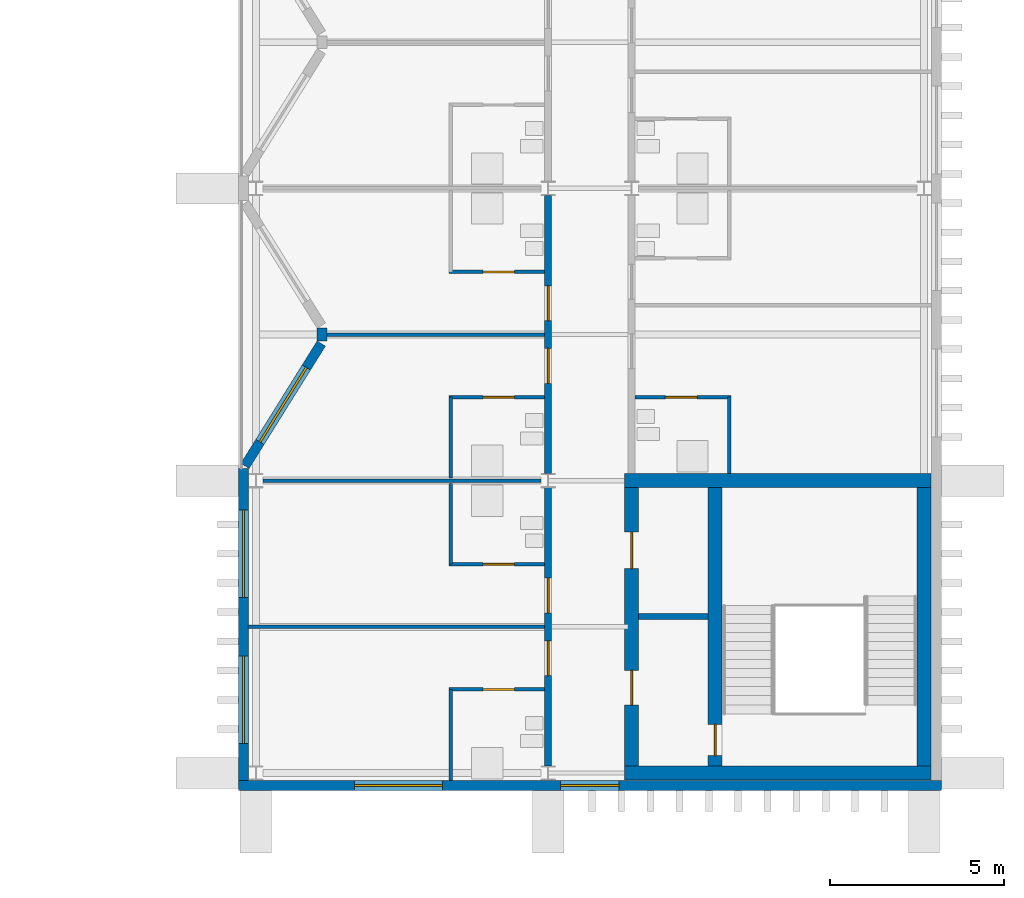
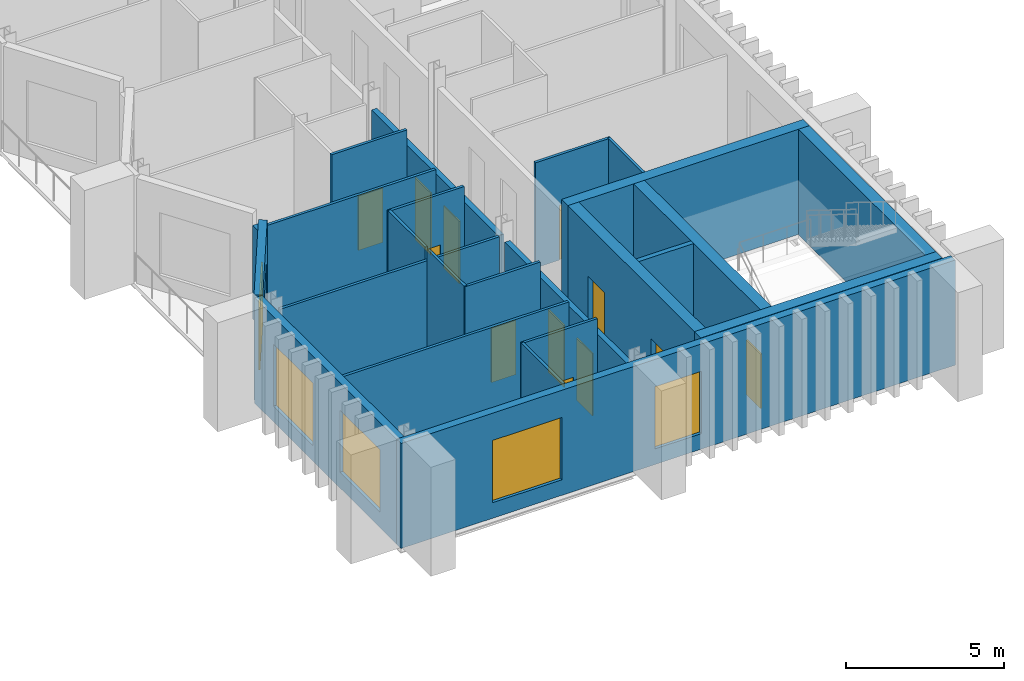
# One storey, part 11 of 18: 24 walls, 12 doors, 5 windows, 17 openings.
"""IFC4 building model written with IfcOpenShell, lengths in metres."""

from ifc_helpers import new_model, si_unit, direction, frame, frame_2d, origin, place, context, subcontext, project, spatial, rectangle, extrude, material, layer, layer_set, type_object, element, fill, save


model = new_model("IFC4")

# Units and contexts
model_context = context("Model", 3, precision=1e-05, world=origin(), true_north=direction((0.0, 1.0)))
body_context = subcontext(model_context, "Body", "Model", "MODEL_VIEW")
ifc_project = project(units=[si_unit("LENGTHUNIT", "METRE"), si_unit("AREAUNIT", "SQUARE_METRE"), si_unit("VOLUMEUNIT", "CUBIC_METRE"), si_unit("PLANEANGLEUNIT", "RADIAN"), si_unit("MASSUNIT", "GRAM", prefix="KILO")], contexts=[model_context])

# Site, building, storey
site_placement = place(None, origin())
site = spatial("IfcSite", under=ifc_project, at=site_placement, CompositionType="ELEMENT")
building_placement = place(site_placement, origin())
building = spatial("IfcBuilding", under=site, at=building_placement, Name="Cresset Court Congress Hotel", CompositionType="ELEMENT")
storey_placement = place(building_placement, frame((0.0, 0.0, 35.39990234375)))
storey = spatial("IfcBuildingStorey", under=building, at=storey_placement, Name="L08", CompositionType="ELEMENT", Elevation=35.39990234375)

# Wall, openings, doors
ifc_material_1 = material(Name="Gypsum board partition")
ifc_layer_1 = layer(ifc_material_1, 0.199951171875)
ifc_layer_set_1 = layer_set([ifc_layer_1], Name="Corridor wall 200")
wall_type_1 = type_object("IfcWallType", Name="Corridor wall 200", PredefinedType="PARTITIONING", material=ifc_layer_set_1)
wall_1_placement = place(storey_placement, frame((165.60009765625, 0.199951171875, 0.0), z_axis=(0.0, 0.0, 1.0), x_axis=(0.0, 1.0, 0.0)))
wall_1 = element("IfcWall", 1, at=wall_1_placement, inside=storey, type_object=wall_type_1, Name="A.wl.L08.070", PredefinedType="PARTITIONING", context=body_context, shape_type="SweptSolid", body=[
    extrude(rectangle(XDim=8.0, YDim=0.199951171875, at=frame_2d((4.0, 0.0))), origin(), (0.0, 0.0, 1.0), 3.4501953125),
])
opening_1_placement = place(wall_1_placement, frame((2.60009765625, 0.0, 0.0)))
opening_1 = element("IfcOpeningElement", 2, at=opening_1_placement, cuts=wall_1, Name="Opening DA-08-02", PredefinedType="OPENING", context=body_context, shape_type="SweptSolid", body=[
    extrude(rectangle(XDim=1.0, YDim=2.39990234375, at=frame_2d((0.5, 1.199951171875))), frame((0.0, 0.10986328125, 0.0), z_axis=(0.0, -1.0, 0.0), x_axis=(1.0, 0.0, 0.0)), (0.0, 0.0, 1.0), 0.219970703125),
])
opening_2_placement = place(wall_1_placement, frame((4.39990234375, 0.0, 0.0)))
opening_2 = element("IfcOpeningElement", 3, at=opening_2_placement, cuts=wall_1, Name="Opening DA-08-04", PredefinedType="OPENING", context=body_context, shape_type="SweptSolid", body=[
    extrude(rectangle(XDim=1.0, YDim=2.39990234375, at=frame_2d((0.5, 1.199951171875))), frame((0.0, 0.10986328125, 0.0), z_axis=(0.0, -1.0, 0.0), x_axis=(1.0, 0.0, 0.0)), (0.0, 0.0, 1.0), 0.219970703125),
])
ifc_material_2 = material(Name="timber", Category="wood")
door_type_1 = type_object("IfcDoorType", Name="Guest-room entry door 1000x2400 FD30S", OperationType="SINGLE_SWING_LEFT", PredefinedType="DOOR", material=ifc_material_2)
door_1_placement = place(opening_1_placement, origin())
door_1 = element("IfcDoor", 4, at=door_1_placement, inside=storey, type_object=door_type_1, Name="Door DA-08-02", OperationType="SINGLE_SWING_RIGHT", OverallHeight=2.39990234375, OverallWidth=1.0, PredefinedType="DOOR", context=body_context, shape_type="SweptSolid", body=[
    extrude(rectangle(XDim=1.0, YDim=2.39990234375, at=frame_2d((0.5, 1.199951171875))), frame((0.0, 0.02490234375, 0.0), z_axis=(0.0, -1.0, 0.0), x_axis=(1.0, 0.0, 0.0)), (0.0, 0.0, 1.0), 0.050048828125),
])
fill(opening_1, door_1)
door_2_placement = place(opening_2_placement, origin())
door_2 = element("IfcDoor", 5, at=door_2_placement, inside=storey, type_object=door_type_1, Name="Door DA-08-04", OperationType="SINGLE_SWING_LEFT", OverallHeight=2.39990234375, OverallWidth=1.0, PredefinedType="DOOR", context=body_context, shape_type="SweptSolid", body=[
    extrude(rectangle(XDim=1.0, YDim=2.39990234375, at=frame_2d((0.5, 1.199951171875))), frame((0.0, 0.02490234375, 0.0), z_axis=(0.0, -1.0, 0.0), x_axis=(1.0, 0.0, 0.0)), (0.0, 0.0, 1.0), 0.050048828125),
])
fill(opening_2, door_2)

wall_2_placement = place(storey_placement, frame((165.60009765625, 8.60009765625, 0.0), z_axis=(0.0, 0.0, 1.0), x_axis=(0.0, 1.0, 0.0)))
wall_2 = element("IfcWall", 6, at=wall_2_placement, inside=storey, type_object=wall_type_1, Name="A.wl.L08.071", PredefinedType="PARTITIONING", context=body_context, shape_type="SweptSolid", body=[
    extrude(rectangle(XDim=8.0, YDim=0.199951171875, at=frame_2d((4.0, 0.0))), origin(), (0.0, 0.0, 1.0), 3.4501953125),
])
opening_3_placement = place(wall_2_placement, frame((2.60009765625, 0.0, 0.0)))
opening_3 = element("IfcOpeningElement", 7, at=opening_3_placement, cuts=wall_2, Name="Opening DA-08-06", PredefinedType="OPENING", context=body_context, shape_type="SweptSolid", body=[
    extrude(rectangle(XDim=1.0, YDim=2.39990234375, at=frame_2d((0.5, 1.199951171875))), frame((0.0, 0.10986328125, 0.0), z_axis=(0.0, -1.0, 0.0), x_axis=(1.0, 0.0, 0.0)), (0.0, 0.0, 1.0), 0.219970703125),
])
opening_4_placement = place(wall_2_placement, frame((4.39990234375, 0.0, 0.0)))
opening_4 = element("IfcOpeningElement", 8, at=opening_4_placement, cuts=wall_2, Name="Opening DA-08-08", PredefinedType="OPENING", context=body_context, shape_type="SweptSolid", body=[
    extrude(rectangle(XDim=1.0, YDim=2.39990234375, at=frame_2d((0.5, 1.199951171875))), frame((0.0, 0.10986328125, 0.0), z_axis=(0.0, -1.0, 0.0), x_axis=(1.0, 0.0, 0.0)), (0.0, 0.0, 1.0), 0.219970703125),
])
door_3_placement = place(opening_3_placement, origin())
door_3 = element("IfcDoor", 9, at=door_3_placement, inside=storey, type_object=door_type_1, Name="Door DA-08-06", OperationType="SINGLE_SWING_RIGHT", OverallHeight=2.39990234375, OverallWidth=1.0, PredefinedType="DOOR", context=body_context, shape_type="SweptSolid", body=[
    extrude(rectangle(XDim=1.0, YDim=2.39990234375, at=frame_2d((0.5, 1.199951171875))), frame((0.0, 0.02490234375, 0.0), z_axis=(0.0, -1.0, 0.0), x_axis=(1.0, 0.0, 0.0)), (0.0, 0.0, 1.0), 0.050048828125),
])
fill(opening_3, door_3)
door_4_placement = place(opening_4_placement, origin())
door_4 = element("IfcDoor", 10, at=door_4_placement, inside=storey, type_object=door_type_1, Name="Door DA-08-08", OperationType="SINGLE_SWING_LEFT", OverallHeight=2.39990234375, OverallWidth=1.0, PredefinedType="DOOR", context=body_context, shape_type="SweptSolid", body=[
    extrude(rectangle(XDim=1.0, YDim=2.39990234375, at=frame_2d((0.5, 1.199951171875))), frame((0.0, 0.02490234375, 0.0), z_axis=(0.0, -1.0, 0.0), x_axis=(1.0, 0.0, 0.0)), (0.0, 0.0, 1.0), 0.050048828125),
])
fill(opening_4, door_4)

# Wall
ifc_material_3 = material(Name="Gypsum board partition")
ifc_layer_2 = layer(ifc_material_3, 0.10009765625)
ifc_layer_set_2 = layer_set([ifc_layer_2], Name="En-suite wall 100")
wall_type_2 = type_object("IfcWallType", Name="En-suite wall 100", PredefinedType="PARTITIONING", material=ifc_layer_set_2)
wall_3_placement = place(storey_placement, frame((162.800048828125, -0.219970703125, 0.0), z_axis=(0.0, 0.0, 1.0), x_axis=(0.0, 1.0, 0.0)))
element("IfcWall", 11, at=wall_3_placement, inside=storey, type_object=wall_type_2, Name="A.wl.L08.001", PredefinedType="PARTITIONING", context=body_context, shape_type="SweptSolid", body=[
    extrude(rectangle(XDim=2.619873046875, YDim=0.10009765625, at=frame_2d((1.31005859375, 0.0))), origin(), (0.0, 0.0, 1.0), 4.050048828125),
])

# Wall, opening, door
wall_4_placement = place(storey_placement, frame((162.75, 2.39990234375, 0.0), z_axis=(0.0, 0.0, 1.0), x_axis=(1.0, 0.0, 0.0)))
wall_4 = element("IfcWall", 12, at=wall_4_placement, inside=storey, type_object=wall_type_2, Name="A.wl.L08.002", PredefinedType="PARTITIONING", context=body_context, shape_type="SweptSolid", body=[
    extrude(rectangle(XDim=2.75, YDim=0.10009765625, at=frame_2d((1.375, 0.0))), origin(), (0.0, 0.0, 1.0), 4.050048828125),
])
opening_5_placement = place(wall_4_placement, frame((0.97998046875, 0.0, 0.0)))
opening_5 = element("IfcOpeningElement", 13, at=opening_5_placement, cuts=wall_4, Name="Opening DA-08-01", PredefinedType="OPENING", context=body_context, shape_type="SweptSolid", body=[
    extrude(rectangle(XDim=0.89990234375, YDim=2.10009765625, at=frame_2d((0.449951171875, 1.050048828125))), frame((0.0, 0.06005859375, 0.0), z_axis=(0.0, -1.0, 0.0), x_axis=(1.0, 0.0, 0.0)), (0.0, 0.0, 1.0), 0.1201171875),
])
ifc_material_4 = material(Name="timber", Category="wood")
door_type_2 = type_object("IfcDoorType", Name="En-suite door 900x2100", OperationType="SINGLE_SWING_LEFT", PredefinedType="DOOR", material=ifc_material_4)
door_5_placement = place(opening_5_placement, origin())
door_5 = element("IfcDoor", 14, at=door_5_placement, inside=storey, type_object=door_type_2, Name="Door DA-08-01", OperationType="SINGLE_SWING_RIGHT", OverallHeight=2.10009765625, OverallWidth=0.89990234375, PredefinedType="DOOR", context=body_context, shape_type="SweptSolid", body=[
    extrude(rectangle(XDim=0.89990234375, YDim=2.10009765625, at=frame_2d((0.449951171875, 1.050048828125))), frame((0.0, 0.02490234375, 0.0), z_axis=(0.0, -1.0, 0.0), x_axis=(1.0, 0.0, 0.0)), (0.0, 0.0, 1.0), 0.050048828125),
])
fill(opening_5, door_5)

# Wall
wall_5_placement = place(storey_placement, frame((162.800048828125, 6.0, 0.0), z_axis=(0.0, 0.0, 1.0), x_axis=(0.0, 1.0, 0.0)))
element("IfcWall", 15, at=wall_5_placement, inside=storey, type_object=wall_type_2, Name="A.wl.L08.003", PredefinedType="PARTITIONING", context=body_context, shape_type="SweptSolid", body=[
    extrude(rectangle(XDim=2.324951171875, YDim=0.10009765625, at=frame_2d((1.16259765625, 0.0))), origin(), (0.0, 0.0, 1.0), 4.050048828125),
])

# Wall, opening, door
wall_6_placement = place(storey_placement, frame((162.75, 6.0, 0.0), z_axis=(0.0, 0.0, 1.0), x_axis=(1.0, 0.0, 0.0)))
wall_6 = element("IfcWall", 16, at=wall_6_placement, inside=storey, type_object=wall_type_2, Name="A.wl.L08.004", PredefinedType="PARTITIONING", context=body_context, shape_type="SweptSolid", body=[
    extrude(rectangle(XDim=2.75, YDim=0.10009765625, at=frame_2d((1.375, 0.0))), origin(), (0.0, 0.0, 1.0), 4.050048828125),
])
opening_6_placement = place(wall_6_placement, frame((0.97998046875, 0.0, 0.0)))
opening_6 = element("IfcOpeningElement", 17, at=opening_6_placement, cuts=wall_6, Name="Opening DA-08-03", PredefinedType="OPENING", context=body_context, shape_type="SweptSolid", body=[
    extrude(rectangle(XDim=0.89990234375, YDim=2.10009765625, at=frame_2d((0.449951171875, 1.050048828125))), frame((0.0, 0.06005859375, 0.0), z_axis=(0.0, -1.0, 0.0), x_axis=(1.0, 0.0, 0.0)), (0.0, 0.0, 1.0), 0.1201171875),
])
door_6_placement = place(opening_6_placement, origin())
door_6 = element("IfcDoor", 18, at=door_6_placement, inside=storey, type_object=door_type_2, Name="Door DA-08-03", OperationType="SINGLE_SWING_LEFT", OverallHeight=2.10009765625, OverallWidth=0.89990234375, PredefinedType="DOOR", context=body_context, shape_type="SweptSolid", body=[
    extrude(rectangle(XDim=0.89990234375, YDim=2.10009765625, at=frame_2d((0.449951171875, 1.050048828125))), frame((0.0, 0.02490234375, 0.0), z_axis=(0.0, -1.0, 0.0), x_axis=(1.0, 0.0, 0.0)), (0.0, 0.0, 1.0), 0.050048828125),
])
fill(opening_6, door_6)

# Wall
wall_7_placement = place(storey_placement, frame((162.800048828125, 8.47509765625, 0.0), z_axis=(0.0, 0.0, 1.0), x_axis=(0.0, 1.0, 0.0)))
element("IfcWall", 19, at=wall_7_placement, inside=storey, type_object=wall_type_2, Name="A.wl.L08.005", PredefinedType="PARTITIONING", context=body_context, shape_type="SweptSolid", body=[
    extrude(rectangle(XDim=2.324951171875, YDim=0.10009765625, at=frame_2d((1.16259765625, 0.0))), origin(), (0.0, 0.0, 1.0), 4.050048828125),
])

# Wall, opening, door
wall_8_placement = place(storey_placement, frame((162.75, 10.800048828125, 0.0), z_axis=(0.0, 0.0, 1.0), x_axis=(1.0, 0.0, 0.0)))
wall_8 = element("IfcWall", 20, at=wall_8_placement, inside=storey, type_object=wall_type_2, Name="A.wl.L08.006", PredefinedType="PARTITIONING", context=body_context, shape_type="SweptSolid", body=[
    extrude(rectangle(XDim=2.75, YDim=0.10009765625, at=frame_2d((1.375, 0.0))), origin(), (0.0, 0.0, 1.0), 4.050048828125),
])
opening_7_placement = place(wall_8_placement, frame((0.97998046875, 0.0, 0.0)))
opening_7 = element("IfcOpeningElement", 21, at=opening_7_placement, cuts=wall_8, Name="Opening DA-08-05", PredefinedType="OPENING", context=body_context, shape_type="SweptSolid", body=[
    extrude(rectangle(XDim=0.89990234375, YDim=2.10009765625, at=frame_2d((0.449951171875, 1.050048828125))), frame((0.0, 0.06005859375, 0.0), z_axis=(0.0, -1.0, 0.0), x_axis=(1.0, 0.0, 0.0)), (0.0, 0.0, 1.0), 0.1201171875),
])
door_7_placement = place(opening_7_placement, origin())
door_7 = element("IfcDoor", 22, at=door_7_placement, inside=storey, type_object=door_type_2, Name="Door DA-08-05", OperationType="SINGLE_SWING_RIGHT", OverallHeight=2.10009765625, OverallWidth=0.89990234375, PredefinedType="DOOR", context=body_context, shape_type="SweptSolid", body=[
    extrude(rectangle(XDim=0.89990234375, YDim=2.10009765625, at=frame_2d((0.449951171875, 1.050048828125))), frame((0.0, 0.02490234375, 0.0), z_axis=(0.0, -1.0, 0.0), x_axis=(1.0, 0.0, 0.0)), (0.0, 0.0, 1.0), 0.050048828125),
])
fill(opening_7, door_7)

wall_9_placement = place(storey_placement, frame((162.75, 14.39990234375, 0.0), z_axis=(0.0, 0.0, 1.0), x_axis=(1.0, 0.0, 0.0)))
wall_9 = element("IfcWall", 23, at=wall_9_placement, inside=storey, type_object=wall_type_2, Name="A.wl.L08.008", PredefinedType="PARTITIONING", context=body_context, shape_type="SweptSolid", body=[
    extrude(rectangle(XDim=2.75, YDim=0.10009765625, at=frame_2d((1.375, 0.0))), origin(), (0.0, 0.0, 1.0), 4.050048828125),
])
opening_8_placement = place(wall_9_placement, frame((0.97998046875, 0.0, 0.0)))
opening_8 = element("IfcOpeningElement", 24, at=opening_8_placement, cuts=wall_9, Name="Opening DA-08-07", PredefinedType="OPENING", context=body_context, shape_type="SweptSolid", body=[
    extrude(rectangle(XDim=0.89990234375, YDim=2.10009765625, at=frame_2d((0.449951171875, 1.050048828125))), frame((0.0, 0.06005859375, 0.0), z_axis=(0.0, -1.0, 0.0), x_axis=(1.0, 0.0, 0.0)), (0.0, 0.0, 1.0), 0.1201171875),
])
door_8_placement = place(opening_8_placement, origin())
door_8 = element("IfcDoor", 25, at=door_8_placement, inside=storey, type_object=door_type_2, Name="Door DA-08-07", OperationType="SINGLE_SWING_LEFT", OverallHeight=2.10009765625, OverallWidth=0.89990234375, PredefinedType="DOOR", context=body_context, shape_type="SweptSolid", body=[
    extrude(rectangle(XDim=0.89990234375, YDim=2.10009765625, at=frame_2d((0.449951171875, 1.050048828125))), frame((0.0, 0.02490234375, 0.0), z_axis=(0.0, -1.0, 0.0), x_axis=(1.0, 0.0, 0.0)), (0.0, 0.0, 1.0), 0.050048828125),
])
fill(opening_8, door_8)

# Wall
wall_10_placement = place(storey_placement, frame((170.800048828125, 8.60009765625, 0.0), z_axis=(0.0, 0.0, 1.0), x_axis=(0.0, 1.0, 0.0)))
element("IfcWall", 26, at=wall_10_placement, inside=storey, type_object=wall_type_2, Name="A.wl.L08.033", PredefinedType="PARTITIONING", context=body_context, shape_type="SweptSolid", body=[
    extrude(rectangle(XDim=2.199951171875, YDim=0.10009765625, at=frame_2d((1.10009765625, 0.0))), origin(), (0.0, 0.0, 1.0), 4.050048828125),
])

# Wall, opening, door
wall_11_placement = place(storey_placement, frame((170.85009765625, 10.800048828125, 0.0), z_axis=(0.0, 0.0, 1.0), x_axis=(-1.0, 0.0, 0.0)))
wall_11 = element("IfcWall", 27, at=wall_11_placement, inside=storey, type_object=wall_type_2, Name="A.wl.L08.034", PredefinedType="PARTITIONING", context=body_context, shape_type="SweptSolid", body=[
    extrude(rectangle(XDim=2.75, YDim=0.10009765625, at=frame_2d((1.375, 0.0))), origin(), (0.0, 0.0, 1.0), 4.050048828125),
])
opening_9_placement = place(wall_11_placement, frame((0.97998046875, 0.0, 0.0)))
opening_9 = element("IfcOpeningElement", 28, at=opening_9_placement, cuts=wall_11, Name="Opening DA-08-33", PredefinedType="OPENING", context=body_context, shape_type="SweptSolid", body=[
    extrude(rectangle(XDim=0.89990234375, YDim=2.10009765625, at=frame_2d((0.449951171875, 1.050048828125))), frame((0.0, 0.06005859375, 0.0), z_axis=(0.0, -1.0, 0.0), x_axis=(1.0, 0.0, 0.0)), (0.0, 0.0, 1.0), 0.1201171875),
])
door_9_placement = place(opening_9_placement, origin())
door_9 = element("IfcDoor", 29, at=door_9_placement, inside=storey, type_object=door_type_2, Name="Door DA-08-33", OperationType="SINGLE_SWING_RIGHT", OverallHeight=2.10009765625, OverallWidth=0.89990234375, PredefinedType="DOOR", context=body_context, shape_type="SweptSolid", body=[
    extrude(rectangle(XDim=0.89990234375, YDim=2.10009765625, at=frame_2d((0.449951171875, 1.050048828125))), frame((0.0, 0.02490234375, 0.0), z_axis=(0.0, -1.0, 0.0), x_axis=(1.0, 0.0, 0.0)), (0.0, 0.0, 1.0), 0.050048828125),
])
fill(opening_9, door_9)

# Wall, openings, windows
ifc_material_5 = material(Name="Precast concrete C50", Category="concrete")
ifc_layer_3 = layer(ifc_material_5, 0.280029296875)
ifc_layer_set_3 = layer_set([ifc_layer_3], Name="External wall 280")
wall_type_3 = type_object("IfcWallType", Name="External wall 280", PredefinedType="SOLIDWALL", material=ifc_layer_set_3)
wall_12_placement = place(storey_placement, frame((156.840087890625, -0.219970703125, 0.0), z_axis=(0.0, 0.0, 1.0), x_axis=(0.0, 1.0, 0.0)))
wall_12 = element("IfcWall", 30, at=wall_12_placement, inside=storey, type_object=wall_type_3, Name="A.ew.L08.W.1", PredefinedType="SOLIDWALL", context=body_context, shape_type="SweptSolid", body=[
    extrude(rectangle(XDim=8.969970703125, YDim=0.280029296875, at=frame_2d((4.48486328125, 0.0))), origin(), (0.0, 0.0, 1.0), 4.050048828125),
])
opening_10_placement = place(wall_12_placement, frame((1.06005859375, 0.0, 0.60009765625)))
opening_10 = element("IfcOpeningElement", 31, at=opening_10_placement, cuts=wall_12, Name="Opening NA-08-01", PredefinedType="OPENING", context=body_context, shape_type="SweptSolid", body=[
    extrude(rectangle(XDim=2.52001953125, YDim=2.39990234375, at=frame_2d((1.260009765625, 1.199951171875))), frame((0.0, 0.14990234375, 0.0), z_axis=(0.0, -1.0, 0.0), x_axis=(1.0, 0.0, 0.0)), (0.0, 0.0, 1.0), 0.300048828125),
])
opening_11_placement = place(wall_12_placement, frame((5.260009765625, 0.0, 0.60009765625)))
opening_11 = element("IfcOpeningElement", 32, at=opening_11_placement, cuts=wall_12, Name="Opening NA-08-02", PredefinedType="OPENING", context=body_context, shape_type="SweptSolid", body=[
    extrude(rectangle(XDim=2.52001953125, YDim=2.39990234375, at=frame_2d((1.260009765625, 1.199951171875))), frame((0.0, 0.14990234375, 0.0), z_axis=(0.0, -1.0, 0.0), x_axis=(1.0, 0.0, 0.0)), (0.0, 0.0, 1.0), 0.300048828125),
])
ifc_material_6 = material(Name="Aluminium and glass", Category="aluminium")
window_type_1 = type_object("IfcWindowType", Name="Window 2520x2400", PartitioningType="SINGLE_PANEL", PredefinedType="WINDOW", material=ifc_material_6)
window_1_placement = place(opening_10_placement, origin())
window_1 = element("IfcWindow", 33, at=window_1_placement, inside=storey, type_object=window_type_1, Name="Window NA-08-01", OverallHeight=2.39990234375, OverallWidth=2.52001953125, PartitioningType="SINGLE_PANEL", PredefinedType="WINDOW", context=body_context, shape_type="SweptSolid", body=[
    extrude(rectangle(XDim=2.52001953125, YDim=2.39990234375, at=frame_2d((1.260009765625, 1.199951171875))), frame((0.0, 0.030029296875, 0.0), z_axis=(0.0, -1.0, 0.0), x_axis=(1.0, 0.0, 0.0)), (0.0, 0.0, 1.0), 0.06005859375),
])
fill(opening_10, window_1)
window_2_placement = place(opening_11_placement, origin())
window_2 = element("IfcWindow", 34, at=window_2_placement, inside=storey, type_object=window_type_1, Name="Window NA-08-02", OverallHeight=2.39990234375, OverallWidth=2.52001953125, PartitioningType="SINGLE_PANEL", PredefinedType="WINDOW", context=body_context, shape_type="SweptSolid", body=[
    extrude(rectangle(XDim=2.52001953125, YDim=2.39990234375, at=frame_2d((1.260009765625, 1.199951171875))), frame((0.0, 0.030029296875, 0.0), z_axis=(0.0, -1.0, 0.0), x_axis=(1.0, 0.0, 0.0)), (0.0, 0.0, 1.0), 0.06005859375),
])
fill(opening_11, window_2)

# Wall, opening, window
wall_13_placement = place(storey_placement, frame((156.88623046875, 8.82421875, 0.0), z_axis=(0.0, 0.0, 1.0), x_axis=(0.529018946142, 0.848610013271, 0.0)))
wall_13 = element("IfcWall", 35, at=wall_13_placement, inside=storey, type_object=wall_type_3, Name="A.ew.L08.Wn.1.0", PredefinedType="SOLIDWALL", context=body_context, shape_type="SweptSolid", body=[
    extrude(rectangle(XDim=4.144287109375, YDim=0.280029296875, at=frame_2d((2.072265625, 0.0))), origin(), (0.0, 0.0, 1.0), 4.050048828125),
])
opening_12_placement = place(wall_13_placement, frame((0.812255859375, 0.0, 0.60009765625)))
opening_12 = element("IfcOpeningElement", 36, at=opening_12_placement, cuts=wall_13, Name="Opening NA-08-03", PredefinedType="OPENING", context=body_context, shape_type="SweptSolid", body=[
    extrude(rectangle(XDim=2.52001953125, YDim=2.39990234375, at=frame_2d((1.260009765625, 1.199951171875))), frame((0.0, 0.14990234375, 0.0), z_axis=(0.0, -1.0, 0.0), x_axis=(1.0, 0.0, 0.0)), (0.0, 0.0, 1.0), 0.300048828125),
])
window_3_placement = place(opening_12_placement, origin())
window_3 = element("IfcWindow", 37, at=window_3_placement, inside=storey, type_object=window_type_1, Name="Window NA-08-03", OverallHeight=2.39990234375, OverallWidth=2.52001953125, PartitioningType="SINGLE_PANEL", PredefinedType="WINDOW", context=body_context, shape_type="SweptSolid", body=[
    extrude(rectangle(XDim=2.52001953125, YDim=2.39990234375, at=frame_2d((1.260009765625, 1.199951171875))), frame((0.0, 0.030029296875, 0.0), z_axis=(0.0, -1.0, 0.0), x_axis=(1.0, 0.0, 0.0)), (0.0, 0.0, 1.0), 0.06005859375),
])
fill(opening_12, window_3)

# Wall
wall_14_placement = place(storey_placement, frame((159.099609375, 12.4150390625, 0.0), z_axis=(0.0, 0.0, 1.0), x_axis=(0.0, 1.0, 0.0)))
element("IfcWall", 38, at=wall_14_placement, inside=storey, type_object=wall_type_3, Name="A.ew.L08.Wn.1.2", PredefinedType="SOLIDWALL", context=body_context, shape_type="SweptSolid", body=[
    extrude(rectangle(XDim=0.369873046875, YDim=0.280029296875, at=frame_2d((0.18505859375, 0.0))), origin(), (0.0, 0.0, 1.0), 3.60400390625),
])

# Wall, openings, windows
ifc_material_7 = material(Name="Precast concrete C50", Category="concrete")
ifc_layer_4 = layer(ifc_material_7, 0.280029296875)
ifc_layer_set_4 = layer_set([ifc_layer_4], Name="Gable end wall 280")
wall_type_4 = type_object("IfcWallType", Name="Gable end wall 280", PredefinedType="SOLIDWALL", material=ifc_layer_set_4)
wall_15_placement = place(storey_placement, frame((156.699951171875, -0.360107421875, 0.0), z_axis=(0.0, 0.0, 1.0), x_axis=(1.0, 0.0, 0.0)))
wall_15 = element("IfcWall", 39, at=wall_15_placement, inside=storey, type_object=wall_type_4, Name="A.ew.L08.S.1", PredefinedType="SOLIDWALL", context=body_context, shape_type="SweptSolid", body=[
    extrude(rectangle(XDim=20.199951171875, YDim=0.280029296875, at=frame_2d((10.10009765625, 0.0))), origin(), (0.0, 0.0, 1.0), 4.050048828125),
])
opening_13_placement = place(wall_15_placement, frame((9.260009765625, 0.0, 0.60009765625)))
opening_13 = element("IfcOpeningElement", 40, at=opening_13_placement, cuts=wall_15, Name="Opening NA-08-25", PredefinedType="OPENING", context=body_context, shape_type="SweptSolid", body=[
    extrude(rectangle(XDim=1.679931640625, YDim=2.39990234375, at=frame_2d((0.83984375, 1.199951171875))), frame((0.0, 0.14990234375, 0.0), z_axis=(0.0, -1.0, 0.0), x_axis=(1.0, 0.0, 0.0)), (0.0, 0.0, 1.0), 0.300048828125),
])
opening_14_placement = place(wall_15_placement, frame((3.340087890625, 0.0, 0.60009765625)))
opening_14 = element("IfcOpeningElement", 41, at=opening_14_placement, cuts=wall_15, Name="Opening NA-08-26", PredefinedType="OPENING", context=body_context, shape_type="SweptSolid", body=[
    extrude(rectangle(XDim=2.52001953125, YDim=2.39990234375, at=frame_2d((1.260009765625, 1.199951171875))), frame((0.0, 0.14990234375, 0.0), z_axis=(0.0, -1.0, 0.0), x_axis=(1.0, 0.0, 0.0)), (0.0, 0.0, 1.0), 0.300048828125),
])
ifc_material_8 = material(Name="Aluminium and glass", Category="aluminium")
window_type_2 = type_object("IfcWindowType", Name="Window 1680x2400", PartitioningType="SINGLE_PANEL", PredefinedType="WINDOW", material=ifc_material_8)
window_4_placement = place(opening_13_placement, origin())
window_4 = element("IfcWindow", 42, at=window_4_placement, inside=storey, type_object=window_type_2, Name="Window NA-08-25", OverallHeight=2.39990234375, OverallWidth=1.679931640625, PartitioningType="SINGLE_PANEL", PredefinedType="WINDOW", context=body_context, shape_type="SweptSolid", body=[
    extrude(rectangle(XDim=1.679931640625, YDim=2.39990234375, at=frame_2d((0.83984375, 1.199951171875))), frame((0.0, 0.030029296875, 0.0), z_axis=(0.0, -1.0, 0.0), x_axis=(1.0, 0.0, 0.0)), (0.0, 0.0, 1.0), 0.06005859375),
])
fill(opening_13, window_4)
window_5_placement = place(opening_14_placement, origin())
window_5 = element("IfcWindow", 43, at=window_5_placement, inside=storey, type_object=window_type_1, Name="Window NA-08-26", OverallHeight=2.39990234375, OverallWidth=2.52001953125, PartitioningType="SINGLE_PANEL", PredefinedType="WINDOW", context=body_context, shape_type="SweptSolid", body=[
    extrude(rectangle(XDim=2.52001953125, YDim=2.39990234375, at=frame_2d((1.260009765625, 1.199951171875))), frame((0.0, 0.030029296875, 0.0), z_axis=(0.0, -1.0, 0.0), x_axis=(1.0, 0.0, 0.0)), (0.0, 0.0, 1.0), 0.06005859375),
])
fill(opening_14, window_5)

# Walls
ifc_material_9 = material(Name="Gypsum board partition")
ifc_layer_5 = layer(ifc_material_9, 0.10009765625)
ifc_layer_set_5 = layer_set([ifc_layer_5], Name="Guest-room partition 100")
wall_type_5 = type_object("IfcWallType", Name="Guest-room partition 100", PredefinedType="PARTITIONING", material=ifc_layer_set_5)
wall_16_placement = place(storey_placement, frame((157.39990234375, 8.39990234375, 0.0), z_axis=(0.0, 0.0, 1.0), x_axis=(1.0, 0.0, 0.0)))
element("IfcWall", 44, at=wall_16_placement, inside=storey, type_object=wall_type_5, Name="A.wl.L08.049", PredefinedType="PARTITIONING", context=body_context, shape_type="SweptSolid", body=[
    extrude(rectangle(XDim=8.0, YDim=0.10009765625, at=frame_2d((4.0, 0.0))), origin(), (0.0, 0.0, 1.0), 3.60400390625),
])
wall_17_placement = place(storey_placement, frame((156.97998046875, 4.199951171875, 0.0), z_axis=(0.0, 0.0, 1.0), x_axis=(1.0, 0.0, 0.0)))
element("IfcWall", 45, at=wall_17_placement, inside=storey, type_object=wall_type_5, Name="A.wl.L08.058", PredefinedType="PARTITIONING", context=body_context, shape_type="SweptSolid", body=[
    extrude(rectangle(XDim=8.52001953125, YDim=0.10009765625, at=frame_2d((4.260009765625, 0.0))), origin(), (0.0, 0.0, 1.0), 3.60400390625),
])
wall_18_placement = place(storey_placement, frame((159.23974609375, 12.60009765625, 0.0), z_axis=(0.0, 0.0, 1.0), x_axis=(1.0, 0.0, 0.0)))
element("IfcWall", 46, at=wall_18_placement, inside=storey, type_object=wall_type_5, Name="A.wl.L08.059", PredefinedType="PARTITIONING", context=body_context, shape_type="SweptSolid", body=[
    extrude(rectangle(XDim=6.26025390625, YDim=0.10009765625, at=frame_2d((3.130126953125, 0.0))), origin(), (0.0, 0.0, 1.0), 3.60400390625),
])
ifc_material_10 = material(Name="Concrete block wall", Category="concrete")
ifc_layer_6 = layer(ifc_material_10, 0.175048828125)
ifc_layer_set_6 = layer_set([ifc_layer_6], Name="Riser shaft wall 175")
wall_type_6 = type_object("IfcWallType", Name="Riser shaft wall 175", PredefinedType="PARTITIONING", material=ifc_layer_set_6)
wall_19_placement = place(storey_placement, frame((168.199951171875, 4.5, 0.0), z_axis=(0.0, 0.0, 1.0), x_axis=(1.0, 0.0, 0.0)))
element("IfcWall", 47, at=wall_19_placement, inside=storey, type_object=wall_type_6, Name="A.wl.L08.083", PredefinedType="PARTITIONING", context=body_context, shape_type="SweptSolid", body=[
    extrude(rectangle(XDim=2.0, YDim=0.175048828125, at=frame_2d((1.0, 0.0))), origin(), (0.0, 0.0, 1.0), 4.050048828125),
])
ifc_material_11 = material(Name="Concrete C50", Category="concrete")
ifc_layer_7 = layer(ifc_material_11, 0.39990234375)
ifc_layer_set_7 = layer_set([ifc_layer_7], Name="Stair core wall 400")
wall_type_7 = type_object("IfcWallType", Name="Stair core wall 400", PredefinedType="SOLIDWALL", material=ifc_layer_set_7)
for number, where, z_axis, x_axis, name in (
    (48, (167.800048828125, 0.0, 0.0), (0.0, 0.0, 1.0), (1.0, 0.0, 0.0), "A.cw.ST-A1.L08.S"),
    (49, (167.800048828125, 8.39990234375, 0.0), (0.0, 0.0, 1.0), (1.0, 0.0, 0.0), "A.cw.ST-A1.L08.N"),
):
    element("IfcWall", number, at=place(storey_placement, frame(where, z_axis=z_axis, x_axis=x_axis)), inside=storey, type_object=wall_type_7, Name=name, PredefinedType="SOLIDWALL", context=body_context, shape_type="SweptSolid", body=[
        extrude(rectangle(XDim=8.800048828125, YDim=0.39990234375, at=frame_2d((4.39990234375, 0.0))), origin(), (0.0, 0.0, 1.0), 4.050048828125),
    ])

# Wall, openings, doors
wall_20_placement = place(storey_placement, frame((168.0, 0.199951171875, 0.0), z_axis=(0.0, 0.0, 1.0), x_axis=(0.0, 1.0, 0.0)))
wall_20 = element("IfcWall", 50, at=wall_20_placement, inside=storey, type_object=wall_type_7, Name="A.cw.ST-A1.L08.W", PredefinedType="SOLIDWALL", context=body_context, shape_type="SweptSolid", body=[
    extrude(rectangle(XDim=8.0, YDim=0.39990234375, at=frame_2d((4.0, 0.0))), origin(), (0.0, 0.0, 1.0), 4.050048828125),
])
opening_15_placement = place(wall_20_placement, frame((1.75, 0.0, 0.0)))
opening_15 = element("IfcOpeningElement", 51, at=opening_15_placement, cuts=wall_20, Name="Opening DA-08-50", PredefinedType="OPENING", context=body_context, shape_type="SweptSolid", body=[
    extrude(rectangle(XDim=1.0, YDim=2.10009765625, at=frame_2d((0.5, 1.050048828125))), frame((0.0, 0.2099609375, 0.0), z_axis=(0.0, -1.0, 0.0), x_axis=(1.0, 0.0, 0.0)), (0.0, 0.0, 1.0), 0.419921875),
])
opening_16_placement = place(wall_20_placement, frame((5.675048828125, 0.0, 0.0)))
opening_16 = element("IfcOpeningElement", 52, at=opening_16_placement, cuts=wall_20, Name="Opening DA-08-51", PredefinedType="OPENING", context=body_context, shape_type="SweptSolid", body=[
    extrude(rectangle(XDim=1.050048828125, YDim=2.10009765625, at=frame_2d((0.52490234375, 1.050048828125))), frame((0.0, 0.2099609375, 0.0), z_axis=(0.0, -1.0, 0.0), x_axis=(1.0, 0.0, 0.0)), (0.0, 0.0, 1.0), 0.419921875),
])
ifc_material_12 = material(Name="steel", Category="steel")
door_type_3 = type_object("IfcDoorType", Name="Housekeeping room door 1050x2100 FD30", OperationType="SINGLE_SWING_LEFT", PredefinedType="DOOR", material=ifc_material_12)
door_10_placement = place(opening_16_placement, origin())
door_10 = element("IfcDoor", 53, at=door_10_placement, inside=storey, type_object=door_type_3, Name="Door DA-08-51", OperationType="SINGLE_SWING_LEFT", OverallHeight=2.10009765625, OverallWidth=1.050048828125, PredefinedType="DOOR", context=body_context, shape_type="SweptSolid", body=[
    extrude(rectangle(XDim=1.050048828125, YDim=2.10009765625, at=frame_2d((0.52490234375, 1.050048828125))), frame((0.0, 0.02490234375, 0.0), z_axis=(0.0, -1.0, 0.0), x_axis=(1.0, 0.0, 0.0)), (0.0, 0.0, 1.0), 0.050048828125),
])
fill(opening_16, door_10)
ifc_material_13 = material(Name="steel", Category="steel")
door_type_4 = type_object("IfcDoorType", Name="Lobby door 1000x2100 FD60", OperationType="SINGLE_SWING_LEFT", PredefinedType="DOOR", material=ifc_material_13)
door_11_placement = place(opening_15_placement, origin())
door_11 = element("IfcDoor", 54, at=door_11_placement, inside=storey, type_object=door_type_4, Name="Door DA-08-50", OperationType="SINGLE_SWING_RIGHT", OverallHeight=2.10009765625, OverallWidth=1.0, PredefinedType="DOOR", context=body_context, shape_type="SweptSolid", body=[
    extrude(rectangle(XDim=1.0, YDim=2.10009765625, at=frame_2d((0.5, 1.050048828125))), frame((0.0, 0.02490234375, 0.0), z_axis=(0.0, -1.0, 0.0), x_axis=(1.0, 0.0, 0.0)), (0.0, 0.0, 1.0), 0.050048828125),
])
fill(opening_15, door_11)

# Wall
wall_21_placement = place(storey_placement, frame((176.39990234375, 0.199951171875, 0.0), z_axis=(0.0, 0.0, 1.0), x_axis=(0.0, 1.0, 0.0)))
element("IfcWall", 55, at=wall_21_placement, inside=storey, type_object=wall_type_7, Name="A.cw.ST-A1.L08.E", PredefinedType="SOLIDWALL", context=body_context, shape_type="SweptSolid", body=[
    extrude(rectangle(XDim=8.0, YDim=0.39990234375, at=frame_2d((4.0, 0.0))), origin(), (0.0, 0.0, 1.0), 4.050048828125),
])

# Wall, opening, door
wall_22_placement = place(storey_placement, frame((170.39990234375, 0.199951171875, 0.0), z_axis=(0.0, 0.0, 1.0), x_axis=(0.0, 1.0, 0.0)))
wall_22 = element("IfcWall", 56, at=wall_22_placement, inside=storey, type_object=wall_type_7, Name="A.wl.L08.082", PredefinedType="SOLIDWALL", context=body_context, shape_type="SweptSolid", body=[
    extrude(rectangle(XDim=8.0, YDim=0.39990234375, at=frame_2d((4.0, 0.0))), origin(), (0.0, 0.0, 1.0), 4.050048828125),
])
opening_17_placement = place(wall_22_placement, frame((0.300048828125, 0.0, 0.0)))
opening_17 = element("IfcOpeningElement", 57, at=opening_17_placement, cuts=wall_22, Name="Opening DA-08-49", PredefinedType="OPENING", context=body_context, shape_type="SweptSolid", body=[
    extrude(rectangle(XDim=0.89990234375, YDim=2.10009765625, at=frame_2d((0.449951171875, 1.050048828125))), frame((0.0, 0.2099609375, 0.0), z_axis=(0.0, -1.0, 0.0), x_axis=(1.0, 0.0, 0.0)), (0.0, 0.0, 1.0), 0.419921875),
])
ifc_material_14 = material(Name="steel", Category="steel")
door_type_5 = type_object("IfcDoorType", Name="Stair door 900x2100 FD60", OperationType="SINGLE_SWING_LEFT", PredefinedType="DOOR", material=ifc_material_14)
door_12_placement = place(opening_17_placement, origin())
door_12 = element("IfcDoor", 58, at=door_12_placement, inside=storey, type_object=door_type_5, Name="Door DA-08-49", OperationType="SINGLE_SWING_LEFT", OverallHeight=2.10009765625, OverallWidth=0.89990234375, PredefinedType="DOOR", context=body_context, shape_type="SweptSolid", body=[
    extrude(rectangle(XDim=0.89990234375, YDim=2.10009765625, at=frame_2d((0.449951171875, 1.050048828125))), frame((0.0, 0.02490234375, 0.0), z_axis=(0.0, -1.0, 0.0), x_axis=(1.0, 0.0, 0.0)), (0.0, 0.0, 1.0), 0.050048828125),
])
fill(opening_17, door_12)

save(model, "model.ifc")
